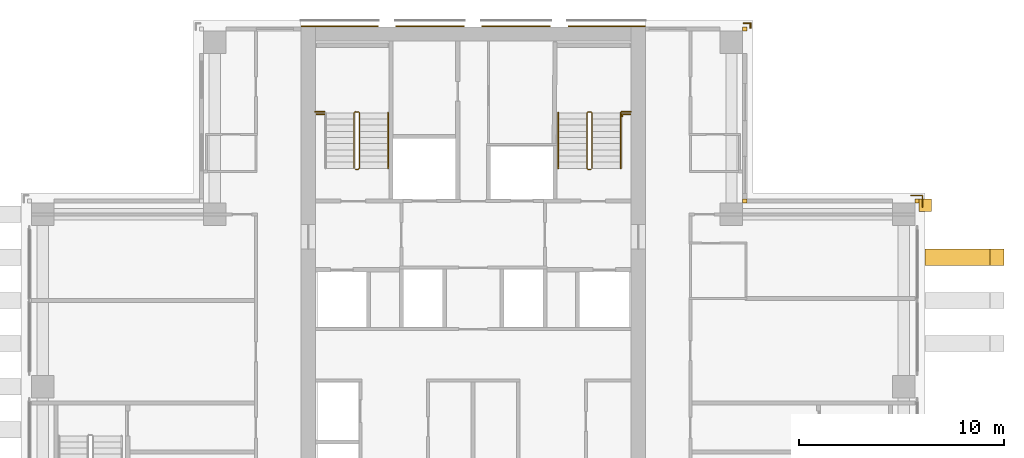
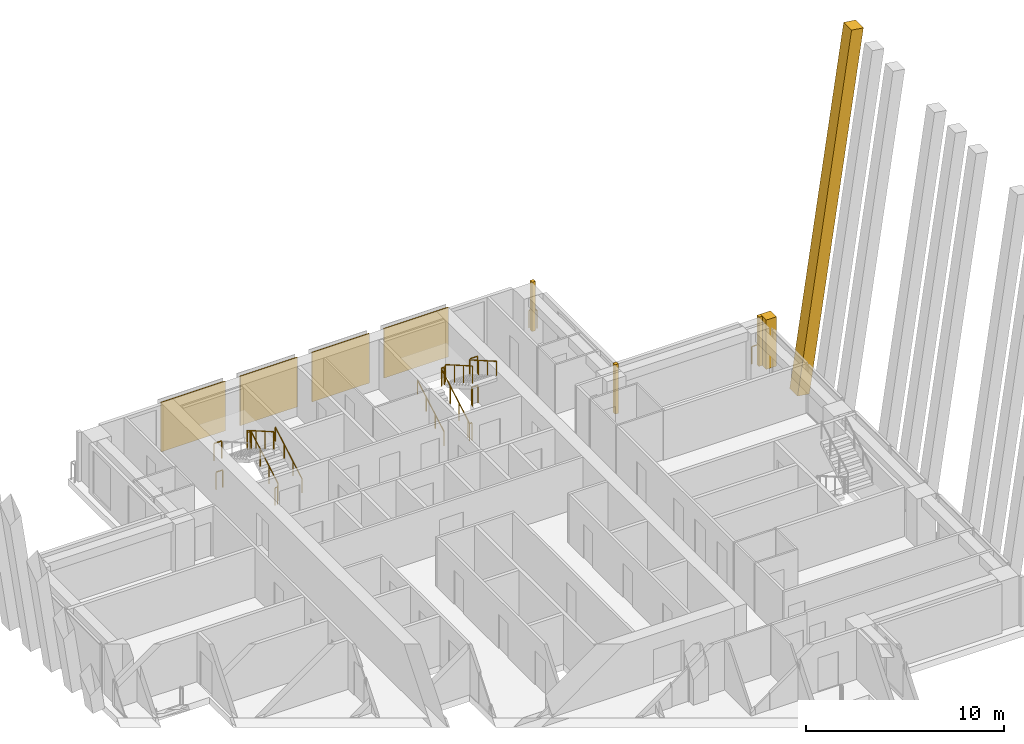
# One storey, part 15 of 15: 11 railings, 9 coverings.
"""IFC4 building model written with IfcOpenShell, lengths in metres."""

import ifcopenshell
import ifcopenshell.guid

model = None  # the IFC model being written
_history = None  # IfcOwnerHistory: only IFC2X3 demands one
_inside = {}  # id of a spatial element -> (the spatial element, [elements in it])
_under = {}  # id of a project, library or spatial element -> (it, [spatial elements below it])
_declared = {}  # id of a project -> (the project, [libraries it declares])
_typed = {}  # id of a type object -> (the type object, [elements of that type])
_made_of = {}  # id of a material, layer set ... -> (it, [elements and type objects made of it])


def new_model(schema):
    """Start an empty IFC model of exactly this schema.

    Asked for "IFC4X3", IfcOpenShell would pick the latest addendum, in which some entities
    have other attributes; the version numbers below select the first issue.
    IFC2X3 requires an IfcOwnerHistory on every rooted entity: one is made here for all.
    """
    global model, _history
    if schema == "IFC4X3":
        model = ifcopenshell.file(schema_version=(4, 3, 0, 0))
    else:
        model = ifcopenshell.file(schema=schema)
    _inside.clear()
    _under.clear()
    _declared.clear()
    _typed.clear()
    _made_of.clear()
    _history = None
    if model.schema == "IFC2X3":
        org = make("IfcOrganization", Name="unknown")
        user = make(
            "IfcPersonAndOrganization",
            ThePerson=make("IfcPerson", FamilyName="unknown"),
            TheOrganization=org,
        )
        app = make(
            "IfcApplication",
            ApplicationDeveloper=org,
            Version="unknown",
            ApplicationFullName="unknown",
            ApplicationIdentifier="unknown",
        )
        _history = make(
            "IfcOwnerHistory",
            OwningUser=user,
            OwningApplication=app,
            ChangeAction="ADDED",
            CreationDate=0,
        )
    return model


def make(cls, **values):
    """One entity of the class cls with the attributes given. An attribute that is None is left unset."""
    return model.create_entity(
        cls, **{name: value for name, value in values.items() if value is not None}
    )


def rooted(cls, **values):
    """An entity with a GlobalId (a new one), such as an element, a storey or a relation."""
    return make(cls, GlobalId=ifcopenshell.guid.new(), OwnerHistory=_history, **values)


def si_unit(unit_type, name, prefix=None):
    """IfcSIUnit, for example si_unit("LENGTHUNIT", "METRE", prefix="MILLI")."""
    return make("IfcSIUnit", UnitType=unit_type, Prefix=prefix, Name=name)


def assignment(units):
    """IfcUnitAssignment: the units of a project."""
    return None if units is None else make("IfcUnitAssignment", Units=units)


def point(xyz):
    """IfcCartesianPoint."""
    return None if xyz is None else make("IfcCartesianPoint", Coordinates=xyz)


def direction(xyz):
    """IfcDirection."""
    return None if xyz is None else make("IfcDirection", DirectionRatios=xyz)


def frame(location, z_axis=None, x_axis=None):
    """IfcAxis2Placement3D, a coordinate frame: its origin and axes. An axis left out is left unset."""
    return make(
        "IfcAxis2Placement3D",
        Location=point(location),
        Axis=direction(z_axis),
        RefDirection=direction(x_axis),
    )


def frame_2d(location, x_axis=None):
    """IfcAxis2Placement2D, a coordinate frame in the plane: its origin and x axis."""
    return make(
        "IfcAxis2Placement2D", Location=point(location), RefDirection=direction(x_axis)
    )


def origin():
    """The frame at (0, 0, 0) with its axes left unset."""
    return frame((0.0, 0.0, 0.0))


def origin_2d():
    """The frame at (0, 0) in the plane with its x axis left unset."""
    return frame_2d((0.0, 0.0))


def place(relative_to, where):
    """IfcLocalPlacement: puts the frame where relative to a parent placement (None: the world)."""
    return make(
        "IfcLocalPlacement", PlacementRelTo=relative_to, RelativePlacement=where
    )


def context(
    kind, dimensions, precision=None, world=None, true_north=None, identifier=None
):
    """IfcGeometricRepresentationContext, for example the 3D "Model" context."""
    return make(
        "IfcGeometricRepresentationContext",
        ContextIdentifier=identifier,
        ContextType=kind,
        CoordinateSpaceDimension=dimensions,
        Precision=precision,
        WorldCoordinateSystem=world,
        TrueNorth=true_north,
    )


def subcontext(parent, identifier, kind, view, scale=None):
    """IfcGeometricRepresentationSubContext, for example "Body" below "Model"."""
    return make(
        "IfcGeometricRepresentationSubContext",
        ContextIdentifier=identifier,
        ContextType=kind,
        ParentContext=parent,
        TargetScale=scale,
        TargetView=view,
    )


def project(units=None, contexts=None):
    """IfcProject with its units and contexts."""
    return rooted(
        "IfcProject",
        Name="project",
        RepresentationContexts=contexts,
        UnitsInContext=assignment(units),
    )


def spatial(cls, under=None, at=None, **own):
    """A site, building, storey or space (cls), placed at a placement, below another one or the project."""
    s = rooted(cls, ObjectPlacement=at, **own)
    if under is not None:
        _under.setdefault(under.id(), (under, []))[1].append(s)
    return s


def polyline(points):
    """IfcPolyline through the points."""
    return make("IfcPolyline", Points=[point(p) for p in points])


def profile(cls, at=None, kind="AREA", **sizes):
    """A parametric profile (cls). Its sizes go by their IFC names, for example OverallWidth=200.0."""
    return make(cls, ProfileType=kind, Position=at, **sizes)


def rectangle(**sizes):
    """IfcRectangleProfileDef."""
    return profile("IfcRectangleProfileDef", **sizes)


def outline(outer, holes=None, kind="AREA"):
    """IfcArbitraryClosedProfileDef: a profile drawn as a closed curve; with holes, ...WithVoids."""
    if holes is None:
        return make("IfcArbitraryClosedProfileDef", ProfileType=kind, OuterCurve=outer)
    return make(
        "IfcArbitraryProfileDefWithVoids",
        ProfileType=kind,
        OuterCurve=outer,
        InnerCurves=holes,
    )


def extrude(swept, where, along, depth):
    """IfcExtrudedAreaSolid: the profile swept, set in the frame where, extruded along a direction by depth."""
    return make(
        "IfcExtrudedAreaSolid",
        SweptArea=swept,
        Position=where,
        ExtrudedDirection=direction(along),
        Depth=depth,
    )


def shape(context_of_items, identifier, shape_type, items):
    """IfcShapeRepresentation: the items that make up one representation, for example the "Body"."""
    return make(
        "IfcShapeRepresentation",
        ContextOfItems=context_of_items,
        RepresentationIdentifier=identifier,
        RepresentationType=shape_type,
        Items=items,
    )


def material(Name=None, Category=None):
    """IfcMaterial."""
    return make("IfcMaterial", Name=Name, Category=Category)


def material_profile(
    of_material, cross_section, Name=None, Category=None, Priority=None
):
    """IfcMaterialProfile: a cross section and its material."""
    return make(
        "IfcMaterialProfile",
        Name=Name,
        Material=of_material,
        Profile=cross_section,
        Priority=Priority,
        Category=Category,
    )


def profile_set(profiles, Name=None, composite=None):
    """IfcMaterialProfileSet."""
    return make(
        "IfcMaterialProfileSet",
        Name=Name,
        MaterialProfiles=profiles,
        CompositeProfile=composite,
    )


def made_of(thing, what):
    """Note that an element or type object is made of a material, layer set ...; save() writes the relation."""
    if what is not None:
        _made_of.setdefault(what.id(), (what, []))[1].append(thing)
    return thing


def type_object(cls, material=None, **own):
    """A type object (cls), such as IfcWallType, which elements share."""
    return made_of(rooted(cls, **own), material)


def element(
    cls,
    number,
    at=None,
    inside=None,
    cuts=None,
    type_object=None,
    material=None,
    context=None,
    identifier="Body",
    shape_type=None,
    held_by="IfcProductDefinitionShape",
    body=None,
    shapes=None,
    **own,
):
    """One element of the class cls, such as IfcWall. Its Tag is "e" and its number.

    at: its placement. inside: the storey or other place that contains it. cuts: it is an
    opening in that element (IfcRelVoidsElement). A single representation is given by context,
    identifier, shape_type and body (its items); several are given by shapes. held_by: the class
    of the entity that holds the representations. save() writes the other relations.
    """
    e = rooted(cls, Tag="e%d" % number, ObjectPlacement=at, **own)
    if body is not None:
        shapes = [shape(context, identifier, shape_type, body)]
    if shapes is not None:
        e.Representation = make(held_by, Representations=shapes)
    if inside is not None:
        _inside.setdefault(inside.id(), (inside, []))[1].append(e)
    if cuts is not None:
        rooted(
            "IfcRelVoidsElement", RelatingBuildingElement=cuts, RelatedOpeningElement=e
        )
    if type_object is not None:
        _typed.setdefault(type_object.id(), (type_object, []))[1].append(e)
    return made_of(e, material)


def aggregate(whole, parts):
    """IfcRelAggregates: a whole, such as a stair, and the parts it consists of."""
    return rooted("IfcRelAggregates", RelatingObject=whole, RelatedObjects=parts)


def save(model, path):
    """Write the relations noted so far, then the file.

    IfcRelAggregates (storeys below a building ...), IfcRelContainedInSpatialStructure (elements
    in a storey), IfcRelDefinesByType, IfcRelAssociatesMaterial and IfcRelDeclares: one each for
    every whole, place, type object, material and project.
    """
    for whole, parts in _under.values():
        aggregate(whole, parts)
    for where, things in _inside.values():
        rooted(
            "IfcRelContainedInSpatialStructure",
            RelatedElements=things,
            RelatingStructure=where,
        )
    for kind, things in _typed.values():
        rooted("IfcRelDefinesByType", RelatedObjects=things, RelatingType=kind)
    for what, things in _made_of.values():
        rooted("IfcRelAssociatesMaterial", RelatedObjects=things, RelatingMaterial=what)
    for by, libraries in _declared.values():
        rooted("IfcRelDeclares", RelatingContext=by, RelatedDefinitions=libraries)
    model.write(path)


model = new_model("IFC4")

# Units and contexts
model_context = context("Model", 3, precision=1e-05, world=origin(), true_north=direction((0.0, 1.0)))
body_context = subcontext(model_context, "Body", "Model", "MODEL_VIEW")
ifc_project = project(units=[si_unit("LENGTHUNIT", "METRE"), si_unit("AREAUNIT", "SQUARE_METRE"), si_unit("VOLUMEUNIT", "CUBIC_METRE"), si_unit("PLANEANGLEUNIT", "RADIAN"), si_unit("MASSUNIT", "GRAM", prefix="KILO")], contexts=[model_context])

# Site, building, storey
site_placement = place(None, origin())
site = spatial("IfcSite", under=ifc_project, at=site_placement, CompositionType="ELEMENT")
building_placement = place(site_placement, origin())
building = spatial("IfcBuilding", under=site, at=building_placement, Name="Vermilion Ogive Tower", CompositionType="ELEMENT")
storey_placement = place(building_placement, frame((0.0, 0.0, 153.800048828125)))
storey = spatial("IfcBuildingStorey", under=building, at=storey_placement, Name="L39", CompositionType="ELEMENT", Elevation=153.800048828125)

# Railings
ifc_material_1 = material(Name="Stainless steel", Category="steel")
railing_type_1 = type_object("IfcRailingType", Name="Slab edge guard SG1", PredefinedType="GUARDRAIL", material=ifc_material_1)
railing_1_placement = place(storey_placement, frame((13.199951171875, 21.929931640625, 0.0)))
element("IfcRailing", 1, at=railing_1_placement, inside=storey, type_object=railing_type_1, Name="L39 slab corner guard", PredefinedType="GUARDRAIL", context=body_context, shape_type="SweptSolid", body=[
    extrude(rectangle(XDim=0.050048828125, YDim=0.050048828125, at=origin_2d()), frame((0.0, 0.0, 1.0751953125), z_axis=(1.0, 0.0, 0.0), x_axis=(0.0, 1.0, 0.0)), (0.0, 0.0, 1.0), 0.330078125),
    extrude(rectangle(XDim=0.050048828125, YDim=0.050048828125, at=origin_2d()), frame((0.330078125, 0.0, 1.0751953125), z_axis=(0.0, -1.0, 0.0), x_axis=(1.0, 0.0, 0.0)), (0.0, 0.0, 1.0), 0.22998046875),
    extrude(rectangle(XDim=0.050048828125, YDim=0.050048828125, at=origin_2d()), origin(), (0.0, 0.0, 1.0), 1.050048828125),
    extrude(rectangle(XDim=0.050048828125, YDim=0.050048828125, at=origin_2d()), frame((0.330078125, 0.0, 0.0)), (0.0, 0.0, 1.0), 1.050048828125),
    extrude(rectangle(XDim=0.050048828125, YDim=0.050048828125, at=origin_2d()), frame((0.330078125, -0.22998046875, 0.0)), (0.0, 0.0, 1.0), 1.050048828125),
])
railing_2_placement = place(storey_placement, frame((21.929931640625, 12.949951171875, 0.0)))
element("IfcRailing", 2, at=railing_2_placement, inside=storey, type_object=railing_type_1, Name="L39 slab corner guard", PredefinedType="GUARDRAIL", context=body_context, shape_type="SweptSolid", body=[
    extrude(rectangle(XDim=0.050048828125, YDim=0.050048828125, at=origin_2d()), frame((0.0, 0.0, 1.0751953125), z_axis=(0.0, 1.0, 0.0), x_axis=(-1.0, 0.0, 0.0)), (0.0, 0.0, 1.0), 0.580078125),
    extrude(rectangle(XDim=0.050048828125, YDim=0.050048828125, at=origin_2d()), frame((0.0, 0.580078125, 1.0751953125), z_axis=(-1.0, 0.0, 0.0), x_axis=(0.0, -1.0, 0.0)), (0.0, 0.0, 1.0), 0.579833984375),
    extrude(rectangle(XDim=0.050048828125, YDim=0.050048828125, at=origin_2d()), origin(), (0.0, 0.0, 1.0), 1.050048828125),
    extrude(rectangle(XDim=0.050048828125, YDim=0.050048828125, at=origin_2d()), frame((0.0, 0.580078125, 0.0)), (0.0, 0.0, 1.0), 1.050048828125),
    extrude(rectangle(XDim=0.050048828125, YDim=0.050048828125, at=origin_2d()), frame((-0.579833984375, 0.580078125, 0.0)), (0.0, 0.0, 1.0), 1.050048828125),
])
ifc_material_2 = material(Name="Steel S355 painted", Category="steel")
railing_type_2 = type_object("IfcRailingType", Name="Stair guard 1100", PredefinedType="GUARDRAIL", material=ifc_material_2)
railing_3_placement = place(storey_placement, frame((-5.75, 14.800048828125, 0.0)))
element("IfcRailing", 3, at=railing_3_placement, inside=storey, type_object=railing_type_2, Name="L39 ST1 stair guard 4", PredefinedType="GUARDRAIL", context=body_context, shape_type="SweptSolid", body=[
    extrude(rectangle(XDim=0.048095703125, YDim=0.048095703125, at=origin_2d()), frame((0.0, 0.0, 1.076171875), z_axis=(1.0, 0.0, 0.0), x_axis=(0.0, 1.0, 0.0)), (0.0, 0.0, 1.0), 0.14990234375),
    extrude(rectangle(XDim=0.048095703125, YDim=0.048095703125, at=origin_2d()), frame((0.14990234375, 0.0, 1.076171875), z_axis=(0.268603158521, 0.268603158521, 0.925043072762), x_axis=(-0.707106781187, 0.707106781187, 0.0)), (0.0, 0.0, 1.0), 0.186279296875),
    extrude(rectangle(XDim=0.048095703125, YDim=0.048095703125, at=origin_2d()), frame((0.199951171875, 0.050048828125, 1.24853515625), z_axis=(0.0, 0.866903762492, 0.498475542607), x_axis=(-1.0, 0.0, 0.0)), (0.0, 0.0, 1.0), 3.114501953125),
    extrude(rectangle(XDim=0.048095703125, YDim=0.048095703125, at=origin_2d()), frame((0.199951171875, 2.75, 2.80078125), z_axis=(-0.707106781187, 0.707106781187, 0.0), x_axis=(-0.707106781187, -0.707106781187, 0.0)), (0.0, 0.0, 1.0), 0.07080078125),
    extrude(rectangle(XDim=0.048095703125, YDim=0.048095703125, at=origin_2d()), frame((0.14990234375, 2.800048828125, 2.80078125), z_axis=(-1.0, 0.0, 0.0), x_axis=(0.0, -1.0, 0.0)), (0.0, 0.0, 1.0), 0.14990234375),
    extrude(rectangle(XDim=0.048095703125, YDim=0.048095703125, at=origin_2d()), frame((0.0, 2.800048828125, 2.80078125), z_axis=(-0.268277960024, -0.268277960024, 0.925231793839), x_axis=(0.707106781187, -0.707106781187, 0.0)), (0.0, 0.0, 1.0), 0.1865234375),
    extrude(rectangle(XDim=0.048095703125, YDim=0.048095703125, at=origin_2d()), frame((-0.050048828125, 2.75, 2.9736328125), z_axis=(0.0, -0.866903762492, 0.498475542607), x_axis=(1.0, 0.0, 0.0)), (0.0, 0.0, 1.0), 3.114501953125),
    extrude(rectangle(XDim=0.0419921875, YDim=0.0419921875, at=origin_2d()), origin(), (0.0, 0.0, 1.0), 1.052001953125),
    extrude(rectangle(XDim=0.0419921875, YDim=0.0419921875, at=origin_2d()), frame((0.14990234375, 0.0, 0.0)), (0.0, 0.0, 1.0), 1.052001953125),
    extrude(rectangle(XDim=0.0419921875, YDim=0.0419921875, at=origin_2d()), frame((0.199951171875, 0.050048828125, 0.17236328125)), (0.0, 0.0, 1.0), 1.052001953125),
    extrude(rectangle(XDim=0.0419921875, YDim=0.0419921875, at=origin_2d()), frame((0.199951171875, 0.949951171875, 0.68994140625)), (0.0, 0.0, 1.0), 1.052001953125),
    extrude(rectangle(XDim=0.0419921875, YDim=0.0419921875, at=origin_2d()), frame((0.199951171875, 1.85009765625, 1.207275390625)), (0.0, 0.0, 1.0), 1.052001953125),
    extrude(rectangle(XDim=0.0419921875, YDim=0.0419921875, at=origin_2d()), frame((0.199951171875, 2.75, 1.724853515625)), (0.0, 0.0, 1.0), 1.052001953125),
    extrude(rectangle(XDim=0.0419921875, YDim=0.0419921875, at=origin_2d()), frame((0.14990234375, 2.800048828125, 1.724853515625)), (0.0, 0.0, 1.0), 1.052001953125),
    extrude(rectangle(XDim=0.0419921875, YDim=0.0419921875, at=origin_2d()), frame((0.0, 2.800048828125, 1.724853515625)), (0.0, 0.0, 1.0), 1.052001953125),
    extrude(rectangle(XDim=0.0419921875, YDim=0.0419921875, at=origin_2d()), frame((-0.050048828125, 2.75, 1.8974609375)), (0.0, 0.0, 1.0), 1.052001953125),
    extrude(rectangle(XDim=0.0419921875, YDim=0.0419921875, at=origin_2d()), frame((-0.050048828125, 1.85009765625, 2.4150390625)), (0.0, 0.0, 1.0), 1.052001953125),
    extrude(rectangle(XDim=0.0419921875, YDim=0.0419921875, at=origin_2d()), frame((-0.050048828125, 0.949951171875, 2.932373046875)), (0.0, 0.0, 1.0), 1.052001953125),
    extrude(rectangle(XDim=0.0419921875, YDim=0.0419921875, at=origin_2d()), frame((-0.050048828125, 0.050048828125, 3.449951171875)), (0.0, 0.0, 1.0), 1.052001953125),
])
railing_4_placement = place(storey_placement, frame((5.75, 14.800048828125, 0.0)))
element("IfcRailing", 4, at=railing_4_placement, inside=storey, type_object=railing_type_2, Name="L39 ST2 stair guard 4", PredefinedType="GUARDRAIL", context=body_context, shape_type="SweptSolid", body=[
    extrude(rectangle(XDim=0.048095703125, YDim=0.048095703125, at=origin_2d()), frame((0.0, 0.0, 1.076171875), z_axis=(-1.0, 0.0, 0.0), x_axis=(0.0, -1.0, 0.0)), (0.0, 0.0, 1.0), 0.14990234375),
    extrude(rectangle(XDim=0.048095703125, YDim=0.048095703125, at=origin_2d()), frame((-0.14990234375, 0.0, 1.076171875), z_axis=(-0.268603158521, 0.268603158521, 0.925043072762), x_axis=(-0.707106781187, -0.707106781187, 0.0)), (0.0, 0.0, 1.0), 0.186279296875),
    extrude(rectangle(XDim=0.048095703125, YDim=0.048095703125, at=origin_2d()), frame((-0.199951171875, 0.050048828125, 1.24853515625), z_axis=(0.0, 0.866903762492, 0.498475542607), x_axis=(-1.0, 0.0, 0.0)), (0.0, 0.0, 1.0), 3.114501953125),
    extrude(rectangle(XDim=0.048095703125, YDim=0.048095703125, at=origin_2d()), frame((-0.199951171875, 2.75, 2.80078125), z_axis=(0.707106781187, 0.707106781187, 0.0), x_axis=(-0.707106781187, 0.707106781187, 0.0)), (0.0, 0.0, 1.0), 0.07080078125),
    extrude(rectangle(XDim=0.048095703125, YDim=0.048095703125, at=origin_2d()), frame((-0.14990234375, 2.800048828125, 2.80078125), z_axis=(1.0, 0.0, 0.0), x_axis=(0.0, 1.0, 0.0)), (0.0, 0.0, 1.0), 0.14990234375),
    extrude(rectangle(XDim=0.048095703125, YDim=0.048095703125, at=origin_2d()), frame((0.0, 2.800048828125, 2.80078125), z_axis=(0.268277960024, -0.268277960024, 0.925231793839), x_axis=(0.707106781187, 0.707106781187, 0.0)), (0.0, 0.0, 1.0), 0.1865234375),
    extrude(rectangle(XDim=0.048095703125, YDim=0.048095703125, at=origin_2d()), frame((0.050048828125, 2.75, 2.9736328125), z_axis=(0.0, -0.866903762492, 0.498475542607), x_axis=(1.0, 0.0, 0.0)), (0.0, 0.0, 1.0), 3.114501953125),
    extrude(rectangle(XDim=0.0419921875, YDim=0.0419921875, at=origin_2d()), origin(), (0.0, 0.0, 1.0), 1.052001953125),
    extrude(rectangle(XDim=0.0419921875, YDim=0.0419921875, at=origin_2d()), frame((-0.14990234375, 0.0, 0.0)), (0.0, 0.0, 1.0), 1.052001953125),
    extrude(rectangle(XDim=0.0419921875, YDim=0.0419921875, at=origin_2d()), frame((-0.199951171875, 0.050048828125, 0.17236328125)), (0.0, 0.0, 1.0), 1.052001953125),
    extrude(rectangle(XDim=0.0419921875, YDim=0.0419921875, at=origin_2d()), frame((-0.199951171875, 0.949951171875, 0.68994140625)), (0.0, 0.0, 1.0), 1.052001953125),
    extrude(rectangle(XDim=0.0419921875, YDim=0.0419921875, at=origin_2d()), frame((-0.199951171875, 1.85009765625, 1.207275390625)), (0.0, 0.0, 1.0), 1.052001953125),
    extrude(rectangle(XDim=0.0419921875, YDim=0.0419921875, at=origin_2d()), frame((-0.199951171875, 2.75, 1.724853515625)), (0.0, 0.0, 1.0), 1.052001953125),
    extrude(rectangle(XDim=0.0419921875, YDim=0.0419921875, at=origin_2d()), frame((-0.14990234375, 2.800048828125, 1.724853515625)), (0.0, 0.0, 1.0), 1.052001953125),
    extrude(rectangle(XDim=0.0419921875, YDim=0.0419921875, at=origin_2d()), frame((0.0, 2.800048828125, 1.724853515625)), (0.0, 0.0, 1.0), 1.052001953125),
    extrude(rectangle(XDim=0.0419921875, YDim=0.0419921875, at=origin_2d()), frame((0.050048828125, 2.75, 1.8974609375)), (0.0, 0.0, 1.0), 1.052001953125),
    extrude(rectangle(XDim=0.0419921875, YDim=0.0419921875, at=origin_2d()), frame((0.050048828125, 1.85009765625, 2.4150390625)), (0.0, 0.0, 1.0), 1.052001953125),
    extrude(rectangle(XDim=0.0419921875, YDim=0.0419921875, at=origin_2d()), frame((0.050048828125, 0.949951171875, 2.932373046875)), (0.0, 0.0, 1.0), 1.052001953125),
    extrude(rectangle(XDim=0.0419921875, YDim=0.0419921875, at=origin_2d()), frame((0.050048828125, 0.050048828125, 3.449951171875)), (0.0, 0.0, 1.0), 1.052001953125),
])
for number, where, name in (
    (5, (-7.699951171875, 17.60009765625, 1.724853515625), "L39 landing guard"),
    (6, (7.25, 17.60009765625, 1.724853515625), "L39 landing guard"),
):
    element("IfcRailing", number, at=place(storey_placement, frame(where)), inside=storey, type_object=railing_type_2, Name=name, PredefinedType="GUARDRAIL", context=body_context, shape_type="SweptSolid", body=[
        extrude(rectangle(XDim=0.048095703125, YDim=0.048095703125, at=origin_2d()), frame((0.0, 0.0, 1.076171875), z_axis=(1.0, 0.0, 0.0), x_axis=(0.0, 1.0, 0.0)), (0.0, 0.0, 1.0), 0.449951171875),
        extrude(rectangle(XDim=0.0419921875, YDim=0.0419921875, at=origin_2d()), origin(), (0.0, 0.0, 1.0), 1.052001953125),
        extrude(rectangle(XDim=0.0419921875, YDim=0.0419921875, at=origin_2d()), frame((0.449951171875, 0.0, 0.0)), (0.0, 0.0, 1.0), 1.052001953125),
    ])
railing_5_placement = place(storey_placement, frame((-7.639892578125, 17.489990234375, 0.0)))
element("IfcRailing", 7, at=railing_5_placement, inside=storey, type_object=railing_type_2, Name="L39 stair opening guard", PredefinedType="GUARDRAIL", context=body_context, shape_type="SweptSolid", body=[
    extrude(rectangle(XDim=0.048095703125, YDim=0.048095703125, at=origin_2d()), frame((0.0, 0.0, 1.076171875), z_axis=(1.0, 0.0, 0.0), x_axis=(0.0, 1.0, 0.0)), (0.0, 0.0, 1.0), 0.389892578125),
    extrude(rectangle(XDim=0.0419921875, YDim=0.0419921875, at=origin_2d()), origin(), (0.0, 0.0, 1.0), 1.052001953125),
    extrude(rectangle(XDim=0.0419921875, YDim=0.0419921875, at=origin_2d()), frame((0.389892578125, 0.0, 0.0)), (0.0, 0.0, 1.0), 1.052001953125),
])
railing_6_placement = place(storey_placement, frame((7.267578125, 17.372802734375, 0.0)))
element("IfcRailing", 8, at=railing_6_placement, inside=storey, type_object=railing_type_2, Name="L39 stair opening guard", PredefinedType="GUARDRAIL", context=body_context, shape_type="SweptSolid", body=[
    extrude(rectangle(XDim=0.048095703125, YDim=0.048095703125, at=origin_2d()), frame((0.0, 0.0, 1.076171875), z_axis=(0.0, 1.0, 0.0), x_axis=(-1.0, 0.0, 0.0)), (0.0, 0.0, 1.0), 0.119873046875),
    extrude(rectangle(XDim=0.048095703125, YDim=0.048095703125, at=origin_2d()), frame((0.0, 0.119873046875, 1.076171875), z_axis=(1.0, 0.0, 0.0), x_axis=(0.0, 1.0, 0.0)), (0.0, 0.0, 1.0), 0.39013671875),
    extrude(rectangle(XDim=0.0419921875, YDim=0.0419921875, at=origin_2d()), origin(), (0.0, 0.0, 1.0), 1.052001953125),
    extrude(rectangle(XDim=0.0419921875, YDim=0.0419921875, at=origin_2d()), frame((0.0, 0.119873046875, 0.0)), (0.0, 0.0, 1.0), 1.052001953125),
    extrude(rectangle(XDim=0.0419921875, YDim=0.0419921875, at=origin_2d()), frame((0.39013671875, 0.119873046875, 0.0)), (0.0, 0.0, 1.0), 1.052001953125),
])
ifc_material_3 = material(Name="Stainless steel", Category="steel")
railing_type_3 = type_object("IfcRailingType", Name="Stair handrail 900", PredefinedType="HANDRAIL", material=ifc_material_3)
for number, where, name in (
    (9, (-4.14990234375, 14.85009765625, 0.17236328125), "L39 ST1 stair handrail 1"),
    (10, (4.14990234375, 14.85009765625, 0.17236328125), "L39 ST2 stair handrail 1"),
):
    element("IfcRailing", number, at=place(storey_placement, frame(where)), inside=storey, type_object=railing_type_3, Name=name, PredefinedType="HANDRAIL", context=body_context, shape_type="SweptSolid", body=[
        extrude(rectangle(XDim=0.048095703125, YDim=0.048095703125, at=origin_2d()), frame((0.0, 0.0, 0.8759765625), z_axis=(0.0, 0.866903762492, 0.498475542607), x_axis=(-1.0, 0.0, 0.0)), (0.0, 0.0, 1.0), 3.114501953125),
        extrude(rectangle(XDim=0.0419921875, YDim=0.0419921875, at=origin_2d()), origin(), (0.0, 0.0, 1.0), 0.851806640625),
        extrude(rectangle(XDim=0.0419921875, YDim=0.0419921875, at=origin_2d()), frame((0.0, 0.89990234375, 0.517578125)), (0.0, 0.0, 1.0), 0.851806640625),
        extrude(rectangle(XDim=0.0419921875, YDim=0.0419921875, at=origin_2d()), frame((0.0, 1.800048828125, 1.034912109375)), (0.0, 0.0, 1.0), 0.851806640625),
        extrude(rectangle(XDim=0.0419921875, YDim=0.0419921875, at=origin_2d()), frame((0.0, 2.699951171875, 1.552490234375)), (0.0, 0.0, 1.0), 0.851806640625),
    ])
railing_7_placement = place(storey_placement, frame((7.199951171875, 17.550048828125, 1.8974609375)))
element("IfcRailing", 11, at=railing_7_placement, inside=storey, type_object=railing_type_3, Name="L39 ST2 stair handrail 2", PredefinedType="HANDRAIL", context=body_context, shape_type="SweptSolid", body=[
    extrude(rectangle(XDim=0.048095703125, YDim=0.048095703125, at=origin_2d()), frame((0.0, 0.0, 0.8759765625), z_axis=(0.0, -0.866903762492, 0.498475542607), x_axis=(1.0, 0.0, 0.0)), (0.0, 0.0, 1.0), 3.114501953125),
    extrude(rectangle(XDim=0.0419921875, YDim=0.0419921875, at=origin_2d()), origin(), (0.0, 0.0, 1.0), 0.851806640625),
    extrude(rectangle(XDim=0.0419921875, YDim=0.0419921875, at=origin_2d()), frame((0.0, -0.89990234375, 0.517578125)), (0.0, 0.0, 1.0), 0.851806640625),
    extrude(rectangle(XDim=0.0419921875, YDim=0.0419921875, at=origin_2d()), frame((0.0, -1.800048828125, 1.034912109375)), (0.0, 0.0, 1.0), 0.851806640625),
    extrude(rectangle(XDim=0.0419921875, YDim=0.0419921875, at=origin_2d()), frame((0.0, -2.699951171875, 1.552490234375)), (0.0, 0.0, 1.0), 0.851806640625),
])

# Coverings
ifc_material_4 = material(Name="Stone cladding", Category="masonry")
covering_type_1 = type_object("IfcCoveringType", Name="Stone cladding panel", PredefinedType="CLADDING", material=ifc_material_4)
covering_1_placement = place(storey_placement, origin())
element("IfcCovering", 12, at=covering_1_placement, inside=storey, type_object=covering_type_1, Name="Stone cladding panel N1", PredefinedType="CLADDING", context=body_context, shape_type="SweptSolid", body=[
    extrude(outline(polyline([(-8.389892578125, 21.75), (-4.6298828125, 21.75), (-4.6298828125, 21.81005859375), (-8.389892578125, 21.81005859375), (-8.389892578125, 21.75)])), origin(), (0.0, 0.0, 1.0), 3.050048828125),
])
covering_2_placement = place(storey_placement, origin())
element("IfcCovering", 13, at=covering_2_placement, inside=storey, type_object=covering_type_1, Name="Stone cladding panel N2", PredefinedType="CLADDING", context=body_context, shape_type="SweptSolid", body=[
    extrude(outline(polyline([(-3.77001953125, 21.75), (-0.429931640625, 21.75), (-0.429931640625, 21.81005859375), (-3.77001953125, 21.81005859375), (-3.77001953125, 21.75)])), origin(), (0.0, 0.0, 1.0), 3.050048828125),
])
covering_3_placement = place(storey_placement, origin())
element("IfcCovering", 14, at=covering_3_placement, inside=storey, type_object=covering_type_1, Name="Stone cladding panel N3", PredefinedType="CLADDING", context=body_context, shape_type="SweptSolid", body=[
    extrude(outline(polyline([(0.429931640625, 21.75), (3.77001953125, 21.75), (3.77001953125, 21.81005859375), (0.429931640625, 21.81005859375), (0.429931640625, 21.75)])), origin(), (0.0, 0.0, 1.0), 3.050048828125),
])
covering_4_placement = place(storey_placement, origin())
element("IfcCovering", 15, at=covering_4_placement, inside=storey, type_object=covering_type_1, Name="Stone cladding panel N4", PredefinedType="CLADDING", context=body_context, shape_type="SweptSolid", body=[
    extrude(outline(polyline([(4.6298828125, 21.75), (8.389892578125, 21.75), (8.389892578125, 21.81005859375), (4.6298828125, 21.81005859375), (4.6298828125, 21.75)])), origin(), (0.0, 0.0, 1.0), 3.050048828125),
])
ifc_material_5 = material(Name="Stone cladding", Category="masonry")
covering_type_2 = type_object("IfcCoveringType", Name="Stone corner buttress", PredefinedType="CLADDING", material=ifc_material_5)
covering_5_placement = place(storey_placement, origin())
element("IfcCovering", 16, at=covering_5_placement, inside=storey, type_object=covering_type_2, Name="Stone crease pier EK", PredefinedType="CLADDING", context=body_context, shape_type="SweptSolid", body=[
    extrude(outline(polyline([(22.35009765625, 12.75), (22.35009765625, 13.35009765625), (21.75, 13.35009765625), (21.75, 12.75), (22.35009765625, 12.75)])), origin(), (0.0, 0.0, 1.0), 3.050048828125),
])
ifc_material_6 = material(Name="Stone cladding", Category="masonry")
ifc_material_profile = material_profile(ifc_material_6, rectangle(XDim=0.800048828125, YDim=0.699951171875, at=origin_2d()), Name="STONE 800x700")
ifc_profile_set = profile_set([ifc_material_profile], Name="Stone cladding")
covering_type_3 = type_object("IfcCoveringType", Name="Stone flare fin", PredefinedType="CLADDING", material=ifc_profile_set)
covering_6_placement = place(storey_placement, frame((22.396240234375, 10.5, -0.199951171875), z_axis=(0.145142051612, 0.0, 0.989410827136), x_axis=(0.0, 1.0, 0.0)))
element("IfcCovering", 17, at=covering_6_placement, inside=storey, type_object=covering_type_3, Name="Stone flare fin EU09", PredefinedType="CLADDING", context=body_context, shape_type="SweptSolid", body=[
    extrude(rectangle(XDim=0.800048828125, YDim=0.699951171875, at=origin_2d()), origin(), (0.0, 0.0, 1.0), 21.72900390625),
])
ifc_material_7 = material(Name="Stone cladding", Category="masonry")
covering_type_4 = type_object("IfcCoveringType", Name="Stone pier", PredefinedType="CLADDING", material=ifc_material_7)
covering_7_placement = place(storey_placement, origin())
element("IfcCovering", 18, at=covering_7_placement, inside=storey, type_object=covering_type_4, Name="Stone corner pier EE1", PredefinedType="CLADDING", context=body_context, shape_type="SweptSolid", body=[
    extrude(outline(polyline([(21.75, 13.14990234375), (21.550048828125, 13.14990234375), (21.550048828125, 13.35009765625), (21.75, 13.35009765625), (21.75, 13.14990234375)])), origin(), (0.0, 0.0, 1.0), 3.050048828125),
])
covering_8_placement = place(storey_placement, origin())
element("IfcCovering", 19, at=covering_8_placement, inside=storey, type_object=covering_type_4, Name="Stone corner pier X3E1", PredefinedType="CLADDING", context=body_context, shape_type="SweptSolid", body=[
    extrude(outline(polyline([(13.14990234375, 13.14990234375), (13.14990234375, 13.35009765625), (13.35009765625, 13.35009765625), (13.35009765625, 13.14990234375), (13.14990234375, 13.14990234375)])), origin(), (0.0, 0.0, 1.0), 3.050048828125),
])
covering_9_placement = place(storey_placement, origin())
element("IfcCovering", 20, at=covering_9_placement, inside=storey, type_object=covering_type_4, Name="Stone corner pier X4E1", PredefinedType="CLADDING", context=body_context, shape_type="SweptSolid", body=[
    extrude(outline(polyline([(13.35009765625, 21.550048828125), (13.14990234375, 21.550048828125), (13.14990234375, 21.75), (13.35009765625, 21.75), (13.35009765625, 21.550048828125)])), origin(), (0.0, 0.0, 1.0), 3.050048828125),
])

save(model, "model.ifc")
